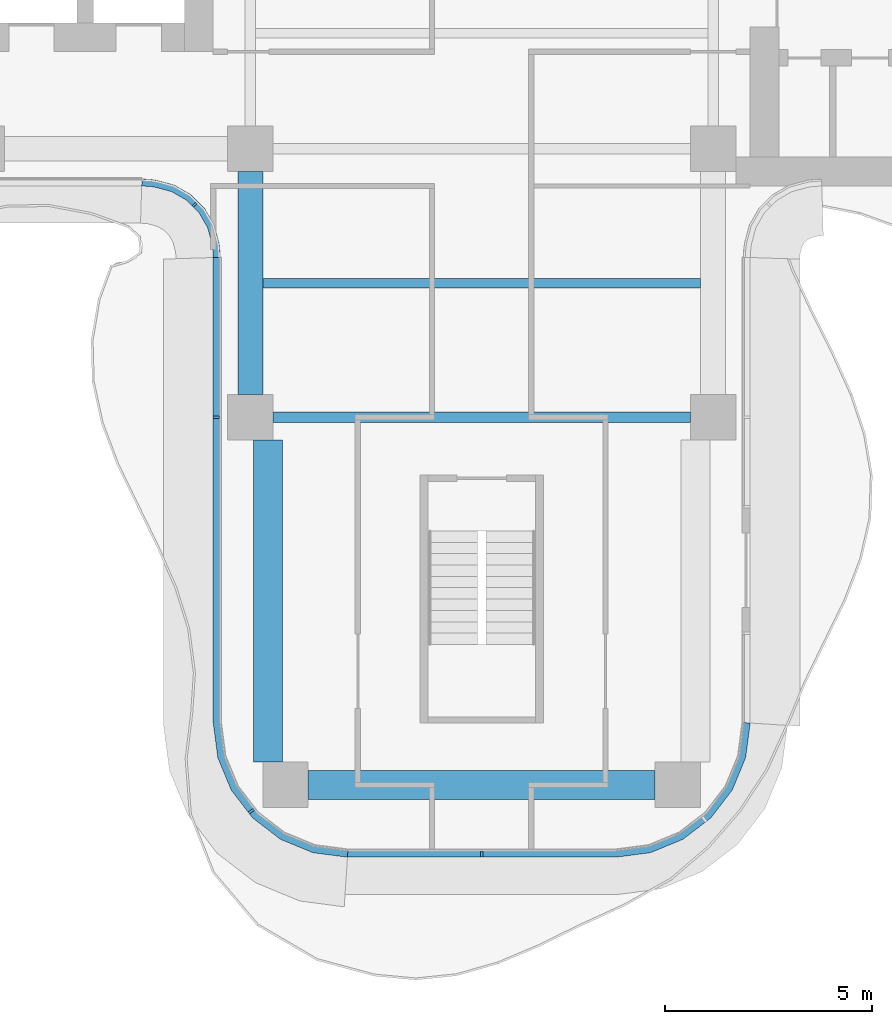
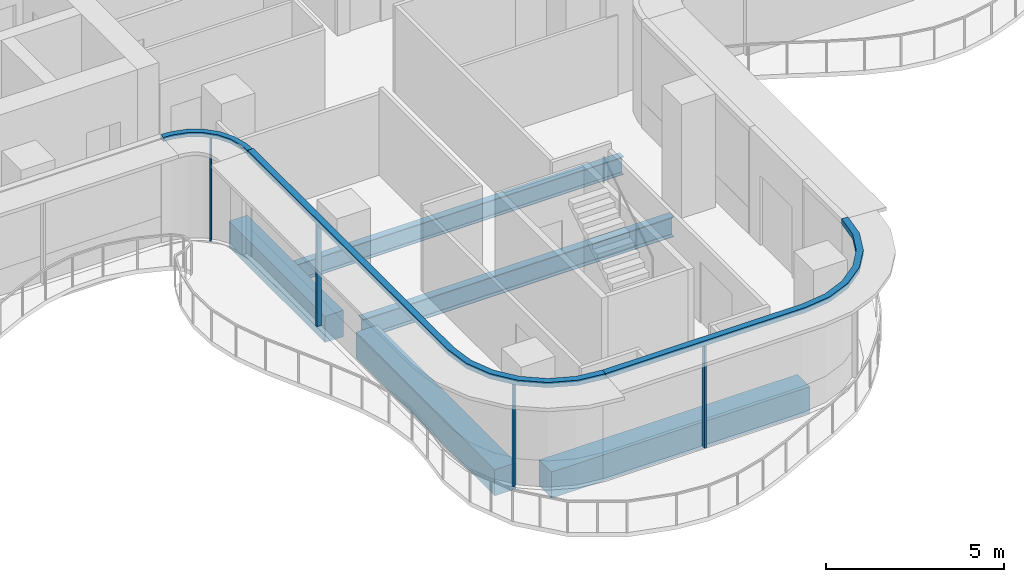
# One storey, part 2 of 16: 7 members, 5 beams, 3 elements without a shape of their own.
"""IFC4 building model written with IfcOpenShell, lengths in metres."""

from ifc_helpers import new_model, si_unit, direction, frame, origin, origin_2d, place, context, subcontext, project, spatial, polyline, rectangle, i_section, outline, extrude, source, transform, mapped, material, layer, layer_set, material_profile, profile_set, type_object, element, aggregate, save


model = new_model("IFC4")

# Units and contexts
model_context = context("Model", 3, precision=1e-05, world=origin(), true_north=direction((0.0, 1.0)))
body_context = subcontext(model_context, "Body", "Model", "MODEL_VIEW")
ifc_project = project(units=[si_unit("LENGTHUNIT", "METRE"), si_unit("AREAUNIT", "SQUARE_METRE"), si_unit("VOLUMEUNIT", "CUBIC_METRE"), si_unit("PLANEANGLEUNIT", "RADIAN"), si_unit("MASSUNIT", "GRAM", prefix="KILO")], contexts=[model_context])

# Site, building, storey
site_placement = place(None, origin())
site = spatial("IfcSite", under=ifc_project, at=site_placement, CompositionType="ELEMENT")
building_placement = place(site_placement, origin())
building = spatial("IfcBuilding", under=site, at=building_placement, Name="Trellis Farm Tower", CompositionType="ELEMENT")
storey_placement = place(building_placement, frame((0.0, 0.0, 251.89990234375)))
storey = spatial("IfcBuildingStorey", under=building, at=storey_placement, Name="L56", CompositionType="ELEMENT", Elevation=251.89990234375)

# Beams
ifc_material_1 = material(Name="Steel S355", Category="steel")
ifc_material_profile_1 = material_profile(ifc_material_1, i_section(OverallWidth=0.22900390625, OverallDepth=0.6123046875, WebThickness=0.011962890625, FlangeThickness=0.01953125, FilletRadius=0.0126953125, at=origin_2d()), Name="UB 610x229x125")
ifc_profile_set_1 = profile_set([ifc_material_profile_1], Name="Steel S355")
beam_type_1 = type_object("IfcBeamType", Name="UB 610x229x125 joist", PredefinedType="JOIST", material=ifc_profile_set_1)
shared_shape_1 = source(origin(), body_context, "Body", "SweptSolid", [
    extrude(i_section(OverallWidth=0.22900390625, OverallDepth=0.6123046875, WebThickness=0.011962890625, FlangeThickness=0.01953125, FilletRadius=0.0126953125, at=origin_2d()), origin(), (0.0, 0.0, 1.0), 10.60009765625),
])
beam_1_placement = place(storey_placement, frame((-5.300048828125, -8.85009765625, -0.506103515625), z_axis=(1.0, 0.0, 0.0), x_axis=(0.0, 1.0, 0.0)))
element("IfcBeam", 1, at=beam_1_placement, inside=storey, type_object=beam_type_1, Name="Floor beam", PredefinedType="JOIST", context=body_context, shape_type="MappedRepresentation", body=[
    mapped(shared_shape_1, transform((0.0, 0.0, 0.0))),
])
ifc_material_profile_2 = material_profile(ifc_material_1, i_section(OverallWidth=0.253662109375, OverallDepth=0.68359375, WebThickness=0.012451171875, FlangeThickness=0.021728515625, FilletRadius=0.01513671875, at=origin_2d()), Name="UB 686x254x140")
ifc_profile_set_2 = profile_set([ifc_material_profile_2], Name="Steel S355")
beam_type_2 = type_object("IfcBeamType", Name="UB 686x254x140", PredefinedType="BEAM", material=ifc_profile_set_2)
shared_shape_2 = source(origin(), body_context, "Body", "SweptSolid", [
    extrude(i_section(OverallWidth=0.253662109375, OverallDepth=0.68359375, WebThickness=0.012451171875, FlangeThickness=0.021728515625, FilletRadius=0.01513671875, at=origin_2d()), origin(), (0.0, 0.0, 1.0), 10.10009765625),
])
beam_2_placement = place(storey_placement, frame((-5.050048828125, -12.10009765625, -0.54150390625), z_axis=(1.0, 0.0, 0.0), x_axis=(0.0, 1.0, 0.0)))
element("IfcBeam", 2, at=beam_2_placement, inside=storey, type_object=beam_type_2, Name="Girder", PredefinedType="BEAM", context=body_context, shape_type="MappedRepresentation", body=[
    mapped(shared_shape_2, transform((0.0, 0.0, 0.0))),
])
ifc_material_2 = material(Name="Concrete C60/75", Category="concrete")
ifc_material_profile_3 = material_profile(ifc_material_2, rectangle(XDim=0.60009765625, YDim=0.89990234375, at=origin_2d()), Name="RC spandrel beam 600x900 C60/75")
ifc_profile_set_3 = profile_set([ifc_material_profile_3], Name="Concrete C60/75")
beam_type_3 = type_object("IfcBeamType", Name="RC spandrel beam 600x900 C60/75", PredefinedType="SPANDREL", material=ifc_profile_set_3)
shared_shape_3 = source(origin(), body_context, "Body", "SweptSolid", [
    extrude(rectangle(XDim=0.60009765625, YDim=0.89990234375, at=origin_2d()), origin(), (0.0, 0.0, 1.0), 5.400146484375),
])
beam_3_placement = place(storey_placement, frame((-5.60009765625, -11.550048828125, -0.64990234375), z_axis=(0.0, 1.0, 0.0), x_axis=(-1.0, 0.0, 0.0)))
element("IfcBeam", 3, at=beam_3_placement, inside=storey, type_object=beam_type_3, Name="Girder", PredefinedType="SPANDREL", context=body_context, shape_type="MappedRepresentation", body=[
    mapped(shared_shape_3, transform((0.0, 0.0, 0.0))),
])
ifc_material_profile_4 = material_profile(ifc_material_2, rectangle(XDim=0.699951171875, YDim=0.89990234375, at=origin_2d()), Name="RC spandrel beam 700x900 C60/75")
ifc_profile_set_4 = profile_set([ifc_material_profile_4], Name="Concrete C60/75")
beam_type_4 = type_object("IfcBeamType", Name="RC spandrel beam 700x900 C60/75", PredefinedType="SPANDREL", material=ifc_profile_set_4)
shared_shape_4 = source(origin(), body_context, "Body", "SweptSolid", [
    extrude(rectangle(XDim=0.699951171875, YDim=0.89990234375, at=origin_2d()), origin(), (0.0, 0.0, 1.0), 8.39990234375),
])
beam_4_placement = place(storey_placement, frame((-4.199951171875, -21.0, -0.64990234375), z_axis=(1.0, 0.0, 0.0), x_axis=(0.0, 1.0, 0.0)))
element("IfcBeam", 4, at=beam_4_placement, inside=storey, type_object=beam_type_4, Name="Girder", PredefinedType="SPANDREL", context=body_context, shape_type="MappedRepresentation", body=[
    mapped(shared_shape_4, transform((0.0, 0.0, 0.0))),
])
shared_shape_5 = source(origin(), body_context, "Body", "SweptSolid", [
    extrude(rectangle(XDim=0.699951171875, YDim=0.89990234375, at=origin_2d()), origin(), (0.0, 0.0, 1.0), 7.800048828125),
])
beam_5_placement = place(storey_placement, frame((-5.175048828125, -20.449951171875, -0.64990234375), z_axis=(0.0, 1.0, 0.0), x_axis=(-1.0, 0.0, 0.0)))
element("IfcBeam", 5, at=beam_5_placement, inside=storey, type_object=beam_type_4, Name="Girder", PredefinedType="SPANDREL", context=body_context, shape_type="MappedRepresentation", body=[
    mapped(shared_shape_5, transform((0.0, 0.0, 0.0))),
])

# Curtain wall, members
ifc_material_3 = material(Name="Aluminium and glass curtain wall", Category="aluminium")
ifc_layer_1 = layer(ifc_material_3, 0.18994140625)
ifc_layer_set_1 = layer_set([ifc_layer_1], Name="RIBBON CURTAIN WALL CW1")
curtain_wall_type_1 = type_object("IfcCurtainWallType", Name="RIBBON CURTAIN WALL CW1", PredefinedType="NOTDEFINED", material=ifc_layer_set_1)
placement_1 = place(storey_placement, origin())
curtain_wall_1 = element("IfcCurtainWall", 6, at=placement_1, inside=storey, type_object=curtain_wall_type_1, Name="CW1 002", PredefinedType="NOTDEFINED")
ifc_material_4 = material(Name="Aluminium extrusion 6063-T6", Category="aluminium")
ifc_material_profile_5 = material_profile(ifc_material_4, rectangle(XDim=0.06005859375, YDim=0.14990234375, at=origin_2d()), Name="MULLION 60x150")
ifc_profile_set_5 = profile_set([ifc_material_profile_5], Name="Aluminium extrusion 6063-T6")
member_type_1 = type_object("IfcMemberType", Name="CW1 MULLION 60x150", PredefinedType="MULLION", material=ifc_profile_set_5)
shared_shape_6 = source(origin(), body_context, "Body", "SweptSolid", [
    extrude(rectangle(XDim=0.06005859375, YDim=0.14990234375, at=origin_2d()), origin(), (0.0, 0.0, 1.0), 3.52001953125),
])
member_1_placement = place(storey_placement, frame((-6.425048828125, -12.10009765625, 0.0), z_axis=(0.0, 0.0, 1.0), x_axis=(0.0, -1.0, 0.0)))
member_1 = element("IfcMember", 7, at=member_1_placement, type_object=member_type_1, Name="MU1 002-01", PredefinedType="MULLION", context=body_context, shape_type="MappedRepresentation", body=[
    mapped(shared_shape_6, transform((0.0, 0.0, 0.0))),
])
member_2_placement = place(storey_placement, frame((-5.578369140625, -21.635498046875, 0.0), z_axis=(0.0, 0.0, 1.0), x_axis=(0.608761429009, -0.793353340291, 0.0)))
member_2 = element("IfcMember", 8, at=member_2_placement, type_object=member_type_1, Name="MU1 002-02", PredefinedType="MULLION", context=body_context, shape_type="MappedRepresentation", body=[
    mapped(shared_shape_6, transform((0.0, 0.0, 0.0))),
])

# Curtain wall, member
curtain_wall_2 = element("IfcCurtainWall", 9, at=placement_1, inside=storey, type_object=curtain_wall_type_1, Name="CW1 003", PredefinedType="NOTDEFINED")
member_3_placement = place(storey_placement, frame((0.0, -22.675048828125, 0.0), z_axis=(0.0, 0.0, 1.0), x_axis=(1.0, 0.0, 0.0)))
member_3 = element("IfcMember", 10, at=member_3_placement, type_object=member_type_1, Name="MU1 003-01", PredefinedType="MULLION", context=body_context, shape_type="MappedRepresentation", body=[
    mapped(shared_shape_6, transform((0.0, 0.0, 0.0))),
])

# Curtain wall, members
ifc_layer_2 = layer(ifc_material_3, 0.166015625)
ifc_layer_set_2 = layer_set([ifc_layer_2], Name="WINTER GARDEN CURTAIN WALL CW3")
curtain_wall_type_2 = type_object("IfcCurtainWallType", Name="WINTER GARDEN CURTAIN WALL CW3", PredefinedType="NOTDEFINED", material=ifc_layer_set_2)
curtain_wall_3 = element("IfcCurtainWall", 11, at=placement_1, inside=storey, type_object=curtain_wall_type_2, Name="CW3 001", PredefinedType="NOTDEFINED")
ifc_material_profile_6 = material_profile(ifc_material_4, rectangle(XDim=0.050048828125, YDim=0.1201171875, at=origin_2d()), Name="MULLION 50x120")
ifc_profile_set_6 = profile_set([ifc_material_profile_6], Name="Aluminium extrusion 6063-T6")
member_type_2 = type_object("IfcMemberType", Name="CW3 MULLION 50x120", PredefinedType="MULLION", material=ifc_profile_set_6)
shared_shape_7 = source(origin(), body_context, "Body", "SweptSolid", [
    extrude(rectangle(XDim=0.050048828125, YDim=0.1201171875, at=origin_2d()), origin(), (0.0, 0.0, 1.0), 3.550048828125),
])
member_4_placement = place(storey_placement, frame((-6.953125, -6.953125, 0.0), z_axis=(0.0, 0.0, 1.0), x_axis=(0.707106781187, -0.707106781187, 0.0)))
member_4 = element("IfcMember", 12, at=member_4_placement, type_object=member_type_2, Name="MU3 001-01", PredefinedType="MULLION", context=body_context, shape_type="MappedRepresentation", body=[
    mapped(shared_shape_7, transform((0.0, 0.0, 0.0))),
])
ifc_layer_3 = layer(ifc_material_4, 0.169921875)
ifc_layer_set_3 = layer_set([ifc_layer_3], Name="Aluminium extrusion 6063-T6")
member_type_3 = type_object("IfcMemberType", Name="CW3 TRANSOM 170x150", PredefinedType="USERDEFINED", material=ifc_layer_set_3)
shared_shape_8 = source(origin(), body_context, "Body", "SweptSolid", [
    extrude(outline(polyline([(-8.2314453125, -6.5), (-8.01953125, -6.513916015625), (-7.91552734375, -6.527587890625), (-7.508544921875, -6.63671875), (-7.144287109375, -6.846923828125), (-6.846923828125, -7.144287109375), (-6.63671875, -7.508544921875), (-6.527587890625, -7.91552734375), (-6.513916015625, -8.01953125), (-6.5, -8.2314453125), (-6.330078125, -8.225830078125), (-6.3447265625, -8.0029296875), (-6.360595703125, -7.88232421875), (-6.478271484375, -7.44287109375), (-6.7109375, -7.0400390625), (-7.0400390625, -6.7109375), (-7.44287109375, -6.478271484375), (-7.88232421875, -6.360595703125), (-8.0029296875, -6.3447265625), (-8.225830078125, -6.330078125), (-8.2314453125, -6.5)])), origin(), (0.0, 0.0, 1.0), 0.150146484375),
])
member_5_placement = place(storey_placement, frame((0.0, 0.0, 3.550048828125)))
member_5 = element("IfcMember", 13, at=member_5_placement, type_object=member_type_3, Name="TR3 001", ObjectType="TRANSOM", PredefinedType="USERDEFINED", context=body_context, shape_type="MappedRepresentation", body=[
    mapped(shared_shape_8, transform((0.0, 0.0, 0.0))),
])
aggregate(curtain_wall_3, [member_4, member_5])

# Member
ifc_layer_4 = layer(ifc_material_4, 0.199951171875)
ifc_layer_set_4 = layer_set([ifc_layer_4], Name="Aluminium extrusion 6063-T6")
member_type_4 = type_object("IfcMemberType", Name="CW1 TRANSOM 200x180", PredefinedType="USERDEFINED", material=ifc_layer_set_4)
shared_shape_9 = source(origin(), body_context, "Body", "SweptSolid", [
    extrude(outline(polyline([(-6.5, -8.2314453125), (-6.5, -19.5), (-6.38916015625, -20.341064453125), (-6.064697265625, -21.125), (-5.548095703125, -21.798095703125), (-4.875, -22.314697265625), (-4.091064453125, -22.63916015625), (-3.25, -22.75), (-3.23681640625, -22.550048828125), (-4.0390625, -22.4443359375), (-4.774169921875, -22.139892578125), (-5.405517578125, -21.655517578125), (-5.889892578125, -21.024169921875), (-6.1943359375, -20.2890625), (-6.300048828125, -19.48681640625), (-6.300048828125, -8.224853515625), (-6.5, -8.2314453125)])), origin(), (0.0, 0.0, 1.0), 0.18017578125),
])
placement_2 = place(storey_placement, frame((0.0, 0.0, 3.52001953125)))
member_6 = element("IfcMember", 14, at=placement_2, type_object=member_type_4, Name="TR1 002", ObjectType="TRANSOM", PredefinedType="USERDEFINED", context=body_context, shape_type="MappedRepresentation", body=[
    mapped(shared_shape_9, transform((0.0, 0.0, 0.0))),
])

aggregate(curtain_wall_1, [member_1, member_2, member_6])

shared_shape_10 = source(origin(), body_context, "Body", "SweptSolid", [
    extrude(outline(polyline([(-3.25, -22.75), (3.25, -22.75), (4.091064453125, -22.63916015625), (4.875, -22.314697265625), (5.548095703125, -21.798095703125), (6.064697265625, -21.125), (6.38916015625, -20.341064453125), (6.5, -19.5), (6.300048828125, -19.48681640625), (6.1943359375, -20.2890625), (5.889892578125, -21.024169921875), (5.405517578125, -21.655517578125), (4.774169921875, -22.139892578125), (4.0390625, -22.4443359375), (3.23681640625, -22.550048828125), (-3.23681640625, -22.550048828125), (-3.25, -22.75)])), origin(), (0.0, 0.0, 1.0), 0.18017578125),
])
member_7 = element("IfcMember", 15, at=placement_2, type_object=member_type_4, Name="TR1 003", ObjectType="TRANSOM", PredefinedType="USERDEFINED", context=body_context, shape_type="MappedRepresentation", body=[
    mapped(shared_shape_10, transform((0.0, 0.0, 0.0))),
])

aggregate(curtain_wall_2, [member_3, member_7])

save(model, "model.ifc")
